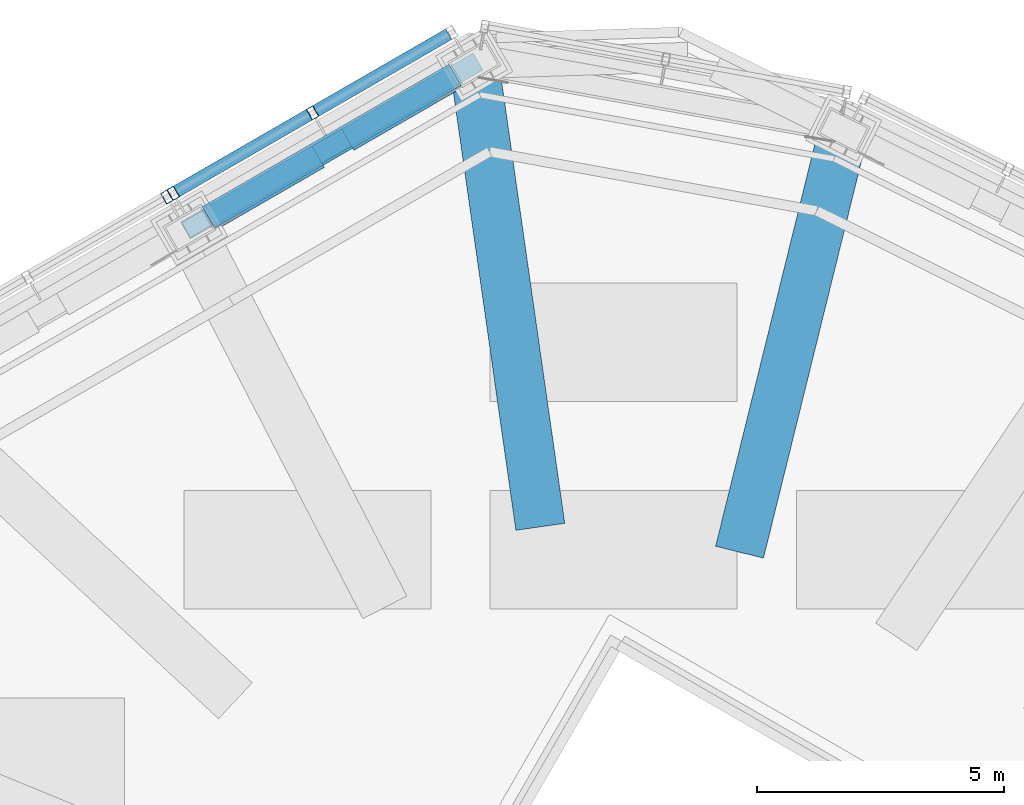
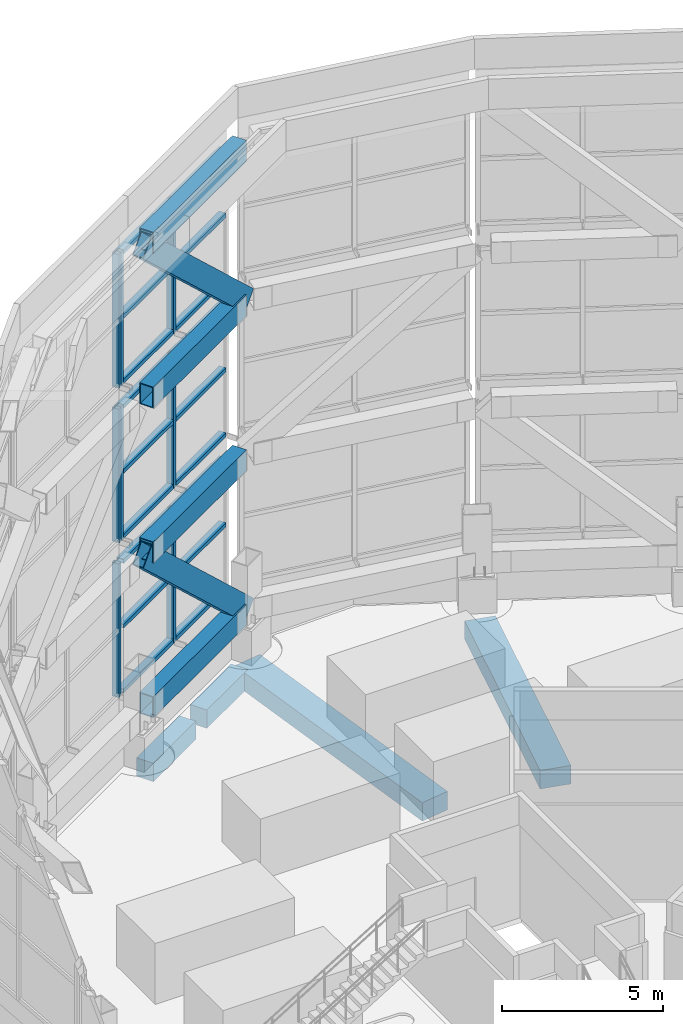
# One storey, part 13 of 46: 32 members, 4 beams, 6 elements without a shape of their own.
"""IFC4 building model written with IfcOpenShell, lengths in metres."""

from ifc_helpers import new_model, si_unit, direction, frame, origin, origin_2d, place, context, subcontext, project, spatial, rectangle, hollow_rectangle, extrude, material, material_profile, profile_set, type_object, element, aggregate, save


model = new_model("IFC4")

# Units and contexts
model_context = context("Model", 3, precision=1e-05, world=origin(), true_north=direction((0.0, 1.0)))
body_context = subcontext(model_context, "Body", "Model", "MODEL_VIEW")
ifc_project = project(units=[si_unit("LENGTHUNIT", "METRE"), si_unit("AREAUNIT", "SQUARE_METRE"), si_unit("VOLUMEUNIT", "CUBIC_METRE"), si_unit("PLANEANGLEUNIT", "RADIAN"), si_unit("MASSUNIT", "GRAM", prefix="KILO")], contexts=[model_context])

# Site, building, storey
site_placement = place(None, origin())
site = spatial("IfcSite", under=ifc_project, at=site_placement, CompositionType="ELEMENT")
building_placement = place(site_placement, origin())
building = spatial("IfcBuilding", under=site, at=building_placement, Name="Vanh Sen Convention Tower", CompositionType="ELEMENT")
storey_placement = place(building_placement, frame((0.0, 0.0, 305.0)))
storey = spatial("IfcBuildingStorey", under=building, at=storey_placement, Name="Roof level", CompositionType="ELEMENT", Elevation=305.0)

# Members
ifc_material_1 = material(Name="Steel S460", Category="steel")
ifc_material_profile_1 = material_profile(ifc_material_1, hollow_rectangle(XDim=0.39990234375, YDim=0.800048828125, WallThickness=0.02490234375, at=origin_2d()), Name="BOX 800X400X25")
ifc_profile_set_1 = profile_set([ifc_material_profile_1], Name="Steel S460")
member_type_1 = type_object("IfcMemberType", Name="Crown brace BOX 800X400X25", PredefinedType="BRACE", material=ifc_profile_set_1)
member_1_placement = place(storey_placement, frame((-3.020751953125, 19.96435546875, 1.7451171875), z_axis=(-0.633801071244, -0.365934709307, 0.681460190044), x_axis=(0.500009725469, -0.866019788709, 0.0)))
element("IfcMember", 1, at=member_1_placement, inside=storey, type_object=member_type_1, Name="CROWN FRAME brace tier 1 span 07", PredefinedType="BRACE", context=body_context, shape_type="SweptSolid", body=[
    extrude(hollow_rectangle(XDim=0.39990234375, YDim=0.800048828125, WallThickness=0.02490234375, at=origin_2d()), origin(), (0.0, 0.0, 1.0), 8.611083984375),
])
member_2_placement = place(storey_placement, frame((-3.020751953125, 19.96435546875, 13.481689453125), z_axis=(-0.633788825979, -0.365927639316, 0.681475375086), x_axis=(0.500009725469, -0.866019788709, 0.0)))
element("IfcMember", 2, at=member_2_placement, inside=storey, type_object=member_type_1, Name="CROWN FRAME brace tier 3 span 07", PredefinedType="BRACE", context=body_context, shape_type="SweptSolid", body=[
    extrude(hollow_rectangle(XDim=0.39990234375, YDim=0.800048828125, WallThickness=0.02490234375, at=origin_2d()), origin(), (0.0, 0.0, 1.0), 8.611328125),
])
ifc_material_profile_2 = material_profile(ifc_material_1, hollow_rectangle(XDim=0.5, YDim=0.800048828125, WallThickness=0.030029296875, at=origin_2d()), Name="BOX 800X500X30")
ifc_profile_set_2 = profile_set([ifc_material_profile_2], Name="Steel S460")
member_type_2 = type_object("IfcMemberType", Name="Crown ring beam BOX 800X500X30", PredefinedType="CHORD", material=ifc_profile_set_2)
for number, where, z_axis, x_axis, name in (
    (3, (-3.249755859375, 19.832275390625, 1.7451171875), (-0.866017276446, -0.500014076698, 0.0), (0.500014076698, -0.866017276446, 0.0), "CROWN FRAME ring beam 1 span 07"),
    (4, (-3.249755859375, 19.832275390625, 7.61328125), (-0.866017276446, -0.500014076698, 0.0), (0.500014076698, -0.866017276446, 0.0), "CROWN FRAME ring beam 2 span 07"),
    (5, (-3.249755859375, 19.832275390625, 13.481689453125), (-0.866017276446, -0.500014076698, 0.0), (0.500014076698, -0.866017276446, 0.0), "CROWN FRAME ring beam 3 span 07"),
    (6, (-3.249755859375, 19.832275390625, 19.35009765625), (-0.866017276446, -0.500014076698, 0.0), (0.500014076698, -0.866017276446, 0.0), "CROWN FRAME ring beam 4 span 07"),
):
    element("IfcMember", number, at=place(storey_placement, frame(where, z_axis=z_axis, x_axis=x_axis)), inside=storey, type_object=member_type_2, Name=name, PredefinedType="CHORD", context=body_context, shape_type="SweptSolid", body=[
        extrude(hollow_rectangle(XDim=0.5, YDim=0.800048828125, WallThickness=0.030029296875, at=origin_2d()), origin(), (0.0, 0.0, 1.0), 5.773193359375),
    ])

# Curtain wall, member
ifc_material_2 = material(Name="Concrete C60/75", Category="concrete")
curtain_wall_type = type_object("IfcCurtainWallType", Name="Crown screen", PredefinedType="NOTDEFINED", material=ifc_material_2)
curtain_wall_1_placement = place(storey_placement, origin())
curtain_wall_1 = element("IfcCurtainWall", 7, at=curtain_wall_1_placement, inside=storey, type_object=curtain_wall_type, Name="CROWN SCREEN 07 tier 1", PredefinedType="NOTDEFINED")
ifc_material_3 = material(Name="Steel S355", Category="steel")
ifc_material_profile_3 = material_profile(ifc_material_3, hollow_rectangle(XDim=0.25, YDim=0.14990234375, WallThickness=0.008056640625, at=origin_2d()), Name="RHS 250X150X8")
ifc_profile_set_3 = profile_set([ifc_material_profile_3], Name="Steel S355")
member_type_3 = type_object("IfcMemberType", Name="Crown screen mullion RHS 250X150X8", PredefinedType="MULLION", material=ifc_profile_set_3)
member_3_placement = place(storey_placement, frame((-6.13720703125, 19.06005859375, 2.14501953125), z_axis=(0.0, 0.0, 1.0), x_axis=(0.500004787758, -0.866022639554, 0.0)))
member_3 = element("IfcMember", 8, at=member_3_placement, type_object=member_type_3, Name="CROWN SCREEN6 mullion 2", PredefinedType="MULLION", context=body_context, shape_type="SweptSolid", body=[
    extrude(hollow_rectangle(XDim=0.25, YDim=0.14990234375, WallThickness=0.008056640625, at=origin_2d()), origin(), (0.0, 0.0, 1.0), 5.068359375),
])

# Curtain wall, members
curtain_wall_2_placement = place(storey_placement, origin())
curtain_wall_2 = element("IfcCurtainWall", 9, at=curtain_wall_2_placement, inside=storey, type_object=curtain_wall_type, Name="CROWN SCREEN 07 tier 2", PredefinedType="NOTDEFINED")
member_4_placement = place(storey_placement, frame((-6.13720703125, 19.06005859375, 8.01318359375), z_axis=(0.0, 0.0, 1.0), x_axis=(0.500004787758, -0.866022639554, 0.0)))
member_4 = element("IfcMember", 10, at=member_4_placement, type_object=member_type_3, Name="CROWN SCREEN6 mullion 2", PredefinedType="MULLION", context=body_context, shape_type="SweptSolid", body=[
    extrude(hollow_rectangle(XDim=0.25, YDim=0.14990234375, WallThickness=0.008056640625, at=origin_2d()), origin(), (0.0, 0.0, 1.0), 5.068603515625),
])
member_5_placement = place(storey_placement, frame((-8.95751953125, 17.431640625, 8.01318359375), z_axis=(0.0, 0.0, 1.0), x_axis=(0.500004787758, -0.866022639554, 0.0)))
member_5 = element("IfcMember", 11, at=member_5_placement, type_object=member_type_3, Name="CROWN SCREEN6 mullion 3", PredefinedType="MULLION", context=body_context, shape_type="SweptSolid", body=[
    extrude(hollow_rectangle(XDim=0.25, YDim=0.14990234375, WallThickness=0.008056640625, at=origin_2d()), origin(), (0.0, 0.0, 1.0), 5.068603515625),
])

curtain_wall_3_placement = place(storey_placement, origin())
curtain_wall_3 = element("IfcCurtainWall", 12, at=curtain_wall_3_placement, inside=storey, type_object=curtain_wall_type, Name="CROWN SCREEN 07 tier 3", PredefinedType="NOTDEFINED")
member_6_placement = place(storey_placement, frame((-6.13720703125, 19.06005859375, 13.881591796875), z_axis=(0.0, 0.0, 1.0), x_axis=(0.500004787758, -0.866022639554, 0.0)))
member_6 = element("IfcMember", 13, at=member_6_placement, type_object=member_type_3, Name="CROWN SCREEN6 mullion 2", PredefinedType="MULLION", context=body_context, shape_type="SweptSolid", body=[
    extrude(hollow_rectangle(XDim=0.25, YDim=0.14990234375, WallThickness=0.008056640625, at=origin_2d()), origin(), (0.0, 0.0, 1.0), 5.068359375),
])
member_7_placement = place(storey_placement, frame((-8.95751953125, 17.431640625, 13.881591796875), z_axis=(0.0, 0.0, 1.0), x_axis=(0.500004787758, -0.866022639554, 0.0)))
member_7 = element("IfcMember", 14, at=member_7_placement, type_object=member_type_3, Name="CROWN SCREEN6 mullion 3", PredefinedType="MULLION", context=body_context, shape_type="SweptSolid", body=[
    extrude(hollow_rectangle(XDim=0.25, YDim=0.14990234375, WallThickness=0.008056640625, at=origin_2d()), origin(), (0.0, 0.0, 1.0), 5.068359375),
])

# Curtain wall, member
curtain_wall_4_placement = place(storey_placement, origin())
curtain_wall_4 = element("IfcCurtainWall", 15, at=curtain_wall_4_placement, inside=storey, type_object=curtain_wall_type, Name="CROWN SCREEN 08 tier 1", PredefinedType="NOTDEFINED")
member_8_placement = place(storey_placement, frame((-9.08740234375, 17.356689453125, 2.14501953125), z_axis=(0.0, 0.0, 1.0), x_axis=(0.500004787758, -0.866022639554, 0.0)))
member_8 = element("IfcMember", 16, at=member_8_placement, type_object=member_type_3, Name="CROWN SCREEN6 mullion 1", PredefinedType="MULLION", context=body_context, shape_type="SweptSolid", body=[
    extrude(hollow_rectangle(XDim=0.25, YDim=0.14990234375, WallThickness=0.008056640625, at=origin_2d()), origin(), (0.0, 0.0, 1.0), 5.068359375),
])
aggregate(curtain_wall_4, [member_8])

curtain_wall_5_placement = place(storey_placement, origin())
curtain_wall_5 = element("IfcCurtainWall", 17, at=curtain_wall_5_placement, inside=storey, type_object=curtain_wall_type, Name="CROWN SCREEN 08 tier 2", PredefinedType="NOTDEFINED")
member_9_placement = place(storey_placement, frame((-9.08740234375, 17.356689453125, 8.01318359375), z_axis=(0.0, 0.0, 1.0), x_axis=(0.500004787758, -0.866022639554, 0.0)))
member_9 = element("IfcMember", 18, at=member_9_placement, type_object=member_type_3, Name="CROWN SCREEN6 mullion 1", PredefinedType="MULLION", context=body_context, shape_type="SweptSolid", body=[
    extrude(hollow_rectangle(XDim=0.25, YDim=0.14990234375, WallThickness=0.008056640625, at=origin_2d()), origin(), (0.0, 0.0, 1.0), 5.068603515625),
])
aggregate(curtain_wall_5, [member_9])

curtain_wall_6_placement = place(storey_placement, origin())
curtain_wall_6 = element("IfcCurtainWall", 19, at=curtain_wall_6_placement, inside=storey, type_object=curtain_wall_type, Name="CROWN SCREEN 08 tier 3", PredefinedType="NOTDEFINED")
member_10_placement = place(storey_placement, frame((-9.08740234375, 17.356689453125, 13.881591796875), z_axis=(0.0, 0.0, 1.0), x_axis=(0.500004787758, -0.866022639554, 0.0)))
member_10 = element("IfcMember", 20, at=member_10_placement, type_object=member_type_3, Name="CROWN SCREEN6 mullion 1", PredefinedType="MULLION", context=body_context, shape_type="SweptSolid", body=[
    extrude(hollow_rectangle(XDim=0.25, YDim=0.14990234375, WallThickness=0.008056640625, at=origin_2d()), origin(), (0.0, 0.0, 1.0), 5.068359375),
])
aggregate(curtain_wall_6, [member_10])

# Member
ifc_material_profile_4 = material_profile(ifc_material_3, hollow_rectangle(XDim=0.25, YDim=0.14990234375, WallThickness=0.008056640625, at=origin_2d()), Name="RHS 250X150X8")
ifc_profile_set_4 = profile_set([ifc_material_profile_4], Name="Steel S355")
member_type_4 = type_object("IfcMemberType", Name="Crown screen transom RHS 250X150X8", PredefinedType="USERDEFINED", material=ifc_profile_set_4)
member_11_placement = place(storey_placement, frame((-3.381591796875, 20.65087890625, 2.219970703125), z_axis=(-0.866058657277, -0.499942398838, 0.0), x_axis=(0.499942398838, -0.866058657277, 0.0)))
member_11 = element("IfcMember", 21, at=member_11_placement, type_object=member_type_4, Name="CROWN SCREEN6 transom 1.1", ObjectType="TRANSOM", PredefinedType="USERDEFINED", context=body_context, shape_type="SweptSolid", body=[
    extrude(hollow_rectangle(XDim=0.25, YDim=0.14990234375, WallThickness=0.008056640625, at=origin_2d()), origin(), (0.0, 0.0, 1.0), 3.106689453125),
])

member_12_placement = place(storey_placement, frame((-3.381591796875, 20.65087890625, 4.67919921875), z_axis=(-0.866058657277, -0.499942398838, 0.0), x_axis=(0.499942398838, -0.866058657277, 0.0)))
member_12 = element("IfcMember", 22, at=member_12_placement, type_object=member_type_4, Name="CROWN SCREEN6 transom 1.2", ObjectType="TRANSOM", PredefinedType="USERDEFINED", context=body_context, shape_type="SweptSolid", body=[
    extrude(hollow_rectangle(XDim=0.25, YDim=0.14990234375, WallThickness=0.008056640625, at=origin_2d()), origin(), (0.0, 0.0, 1.0), 3.106689453125),
])

member_13_placement = place(storey_placement, frame((-3.381591796875, 20.65087890625, 7.13818359375), z_axis=(-0.866058657277, -0.499942398838, 0.0), x_axis=(0.499942398838, -0.866058657277, 0.0)))
member_13 = element("IfcMember", 23, at=member_13_placement, type_object=member_type_4, Name="CROWN SCREEN6 transom 1.3", ObjectType="TRANSOM", PredefinedType="USERDEFINED", context=body_context, shape_type="SweptSolid", body=[
    extrude(hollow_rectangle(XDim=0.25, YDim=0.14990234375, WallThickness=0.008056640625, at=origin_2d()), origin(), (0.0, 0.0, 1.0), 3.106689453125),
])

member_14_placement = place(storey_placement, frame((-6.2021484375, 19.0224609375, 2.219970703125), z_axis=(-0.866039014152, -0.499976425411, 0.0), x_axis=(0.499976425411, -0.866039014152, 0.0)))
member_14 = element("IfcMember", 24, at=member_14_placement, type_object=member_type_4, Name="CROWN SCREEN6 transom 2.1", ObjectType="TRANSOM", PredefinedType="USERDEFINED", context=body_context, shape_type="SweptSolid", body=[
    extrude(hollow_rectangle(XDim=0.25, YDim=0.14990234375, WallThickness=0.008056640625, at=origin_2d()), origin(), (0.0, 0.0, 1.0), 3.106689453125),
])

member_15_placement = place(storey_placement, frame((-6.2021484375, 19.0224609375, 4.67919921875), z_axis=(-0.866039014152, -0.499976425411, 0.0), x_axis=(0.499976425411, -0.866039014152, 0.0)))
member_15 = element("IfcMember", 25, at=member_15_placement, type_object=member_type_4, Name="CROWN SCREEN6 transom 2.2", ObjectType="TRANSOM", PredefinedType="USERDEFINED", context=body_context, shape_type="SweptSolid", body=[
    extrude(hollow_rectangle(XDim=0.25, YDim=0.14990234375, WallThickness=0.008056640625, at=origin_2d()), origin(), (0.0, 0.0, 1.0), 3.106689453125),
])

member_16_placement = place(storey_placement, frame((-6.2021484375, 19.0224609375, 7.13818359375), z_axis=(-0.866039014152, -0.499976425411, 0.0), x_axis=(0.499976425411, -0.866039014152, 0.0)))
member_16 = element("IfcMember", 26, at=member_16_placement, type_object=member_type_4, Name="CROWN SCREEN6 transom 2.3", ObjectType="TRANSOM", PredefinedType="USERDEFINED", context=body_context, shape_type="SweptSolid", body=[
    extrude(hollow_rectangle(XDim=0.25, YDim=0.14990234375, WallThickness=0.008056640625, at=origin_2d()), origin(), (0.0, 0.0, 1.0), 3.106689453125),
])

aggregate(curtain_wall_1, [member_3, member_11, member_12, member_13, member_14, member_15, member_16])

member_17_placement = place(storey_placement, frame((-3.381591796875, 20.65087890625, 8.08837890625), z_axis=(-0.866058657277, -0.499942398838, 0.0), x_axis=(0.499942398838, -0.866058657277, 0.0)))
member_17 = element("IfcMember", 27, at=member_17_placement, type_object=member_type_4, Name="CROWN SCREEN6 transom 1.1", ObjectType="TRANSOM", PredefinedType="USERDEFINED", context=body_context, shape_type="SweptSolid", body=[
    extrude(hollow_rectangle(XDim=0.25, YDim=0.14990234375, WallThickness=0.008056640625, at=origin_2d()), origin(), (0.0, 0.0, 1.0), 3.106689453125),
])

member_18_placement = place(storey_placement, frame((-3.381591796875, 20.65087890625, 10.547607421875), z_axis=(-0.866058657277, -0.499942398838, 0.0), x_axis=(0.499942398838, -0.866058657277, 0.0)))
member_18 = element("IfcMember", 28, at=member_18_placement, type_object=member_type_4, Name="CROWN SCREEN6 transom 1.2", ObjectType="TRANSOM", PredefinedType="USERDEFINED", context=body_context, shape_type="SweptSolid", body=[
    extrude(hollow_rectangle(XDim=0.25, YDim=0.14990234375, WallThickness=0.008056640625, at=origin_2d()), origin(), (0.0, 0.0, 1.0), 3.106689453125),
])

member_19_placement = place(storey_placement, frame((-3.381591796875, 20.65087890625, 13.006591796875), z_axis=(-0.866058657277, -0.499942398838, 0.0), x_axis=(0.499942398838, -0.866058657277, 0.0)))
member_19 = element("IfcMember", 29, at=member_19_placement, type_object=member_type_4, Name="CROWN SCREEN6 transom 1.3", ObjectType="TRANSOM", PredefinedType="USERDEFINED", context=body_context, shape_type="SweptSolid", body=[
    extrude(hollow_rectangle(XDim=0.25, YDim=0.14990234375, WallThickness=0.008056640625, at=origin_2d()), origin(), (0.0, 0.0, 1.0), 3.106689453125),
])

member_20_placement = place(storey_placement, frame((-6.2021484375, 19.0224609375, 8.08837890625), z_axis=(-0.866039014152, -0.499976425411, 0.0), x_axis=(0.499976425411, -0.866039014152, 0.0)))
member_20 = element("IfcMember", 30, at=member_20_placement, type_object=member_type_4, Name="CROWN SCREEN6 transom 2.1", ObjectType="TRANSOM", PredefinedType="USERDEFINED", context=body_context, shape_type="SweptSolid", body=[
    extrude(hollow_rectangle(XDim=0.25, YDim=0.14990234375, WallThickness=0.008056640625, at=origin_2d()), origin(), (0.0, 0.0, 1.0), 3.106689453125),
])

member_21_placement = place(storey_placement, frame((-6.2021484375, 19.0224609375, 10.547607421875), z_axis=(-0.866039014152, -0.499976425411, 0.0), x_axis=(0.499976425411, -0.866039014152, 0.0)))
member_21 = element("IfcMember", 31, at=member_21_placement, type_object=member_type_4, Name="CROWN SCREEN6 transom 2.2", ObjectType="TRANSOM", PredefinedType="USERDEFINED", context=body_context, shape_type="SweptSolid", body=[
    extrude(hollow_rectangle(XDim=0.25, YDim=0.14990234375, WallThickness=0.008056640625, at=origin_2d()), origin(), (0.0, 0.0, 1.0), 3.106689453125),
])

member_22_placement = place(storey_placement, frame((-6.2021484375, 19.0224609375, 13.006591796875), z_axis=(-0.866039014152, -0.499976425411, 0.0), x_axis=(0.499976425411, -0.866039014152, 0.0)))
member_22 = element("IfcMember", 32, at=member_22_placement, type_object=member_type_4, Name="CROWN SCREEN6 transom 2.3", ObjectType="TRANSOM", PredefinedType="USERDEFINED", context=body_context, shape_type="SweptSolid", body=[
    extrude(hollow_rectangle(XDim=0.25, YDim=0.14990234375, WallThickness=0.008056640625, at=origin_2d()), origin(), (0.0, 0.0, 1.0), 3.106689453125),
])

aggregate(curtain_wall_2, [member_4, member_5, member_17, member_18, member_19, member_20, member_21, member_22])

member_23_placement = place(storey_placement, frame((-3.381591796875, 20.65087890625, 13.956787109375), z_axis=(-0.866058657277, -0.499942398838, 0.0), x_axis=(0.499942398838, -0.866058657277, 0.0)))
member_23 = element("IfcMember", 33, at=member_23_placement, type_object=member_type_4, Name="CROWN SCREEN6 transom 1.1", ObjectType="TRANSOM", PredefinedType="USERDEFINED", context=body_context, shape_type="SweptSolid", body=[
    extrude(hollow_rectangle(XDim=0.25, YDim=0.14990234375, WallThickness=0.008056640625, at=origin_2d()), origin(), (0.0, 0.0, 1.0), 3.106689453125),
])

member_24_placement = place(storey_placement, frame((-3.381591796875, 20.65087890625, 16.415771484375), z_axis=(-0.866058657277, -0.499942398838, 0.0), x_axis=(0.499942398838, -0.866058657277, 0.0)))
member_24 = element("IfcMember", 34, at=member_24_placement, type_object=member_type_4, Name="CROWN SCREEN6 transom 1.2", ObjectType="TRANSOM", PredefinedType="USERDEFINED", context=body_context, shape_type="SweptSolid", body=[
    extrude(hollow_rectangle(XDim=0.25, YDim=0.14990234375, WallThickness=0.008056640625, at=origin_2d()), origin(), (0.0, 0.0, 1.0), 3.106689453125),
])

member_25_placement = place(storey_placement, frame((-3.381591796875, 20.65087890625, 18.875), z_axis=(-0.866058657277, -0.499942398838, 0.0), x_axis=(0.499942398838, -0.866058657277, 0.0)))
member_25 = element("IfcMember", 35, at=member_25_placement, type_object=member_type_4, Name="CROWN SCREEN6 transom 1.3", ObjectType="TRANSOM", PredefinedType="USERDEFINED", context=body_context, shape_type="SweptSolid", body=[
    extrude(hollow_rectangle(XDim=0.25, YDim=0.14990234375, WallThickness=0.008056640625, at=origin_2d()), origin(), (0.0, 0.0, 1.0), 3.106689453125),
])

member_26_placement = place(storey_placement, frame((-6.2021484375, 19.0224609375, 13.956787109375), z_axis=(-0.866039014152, -0.499976425411, 0.0), x_axis=(0.499976425411, -0.866039014152, 0.0)))
member_26 = element("IfcMember", 36, at=member_26_placement, type_object=member_type_4, Name="CROWN SCREEN6 transom 2.1", ObjectType="TRANSOM", PredefinedType="USERDEFINED", context=body_context, shape_type="SweptSolid", body=[
    extrude(hollow_rectangle(XDim=0.25, YDim=0.14990234375, WallThickness=0.008056640625, at=origin_2d()), origin(), (0.0, 0.0, 1.0), 3.106689453125),
])

member_27_placement = place(storey_placement, frame((-6.2021484375, 19.0224609375, 16.415771484375), z_axis=(-0.866039014152, -0.499976425411, 0.0), x_axis=(0.499976425411, -0.866039014152, 0.0)))
member_27 = element("IfcMember", 37, at=member_27_placement, type_object=member_type_4, Name="CROWN SCREEN6 transom 2.2", ObjectType="TRANSOM", PredefinedType="USERDEFINED", context=body_context, shape_type="SweptSolid", body=[
    extrude(hollow_rectangle(XDim=0.25, YDim=0.14990234375, WallThickness=0.008056640625, at=origin_2d()), origin(), (0.0, 0.0, 1.0), 3.106689453125),
])

member_28_placement = place(storey_placement, frame((-6.2021484375, 19.0224609375, 18.875), z_axis=(-0.866039014152, -0.499976425411, 0.0), x_axis=(0.499976425411, -0.866039014152, 0.0)))
member_28 = element("IfcMember", 38, at=member_28_placement, type_object=member_type_4, Name="CROWN SCREEN6 transom 2.3", ObjectType="TRANSOM", PredefinedType="USERDEFINED", context=body_context, shape_type="SweptSolid", body=[
    extrude(hollow_rectangle(XDim=0.25, YDim=0.14990234375, WallThickness=0.008056640625, at=origin_2d()), origin(), (0.0, 0.0, 1.0), 3.106689453125),
])

aggregate(curtain_wall_3, [member_6, member_7, member_23, member_24, member_25, member_26, member_27, member_28])

# Beams
ifc_material_4 = material(Name="Concrete C50/60", Category="concrete")
ifc_material_profile_5 = material_profile(ifc_material_4, rectangle(XDim=1.0, YDim=0.699951171875, at=origin_2d()), Name="RC 1000X700")
ifc_profile_set_5 = profile_set([ifc_material_profile_5], Name="Concrete C50/60")
beam_type_1 = type_object("IfcBeamType", Name="Radial floor beam 1000 x 700", PredefinedType="BEAM", material=ifc_profile_set_5)
beam_1_placement = place(storey_placement, frame((4.531494140625, 18.362060546875, -0.64990234375), z_axis=(-0.239595668833, -0.970872759674, 0.0), x_axis=(0.970872759674, -0.239595668833, 0.0)))
element("IfcBeam", 39, at=beam_1_placement, inside=storey, type_object=beam_type_1, Name="Radial beam 06 Roof level", PredefinedType="BEAM", context=body_context, shape_type="SweptSolid", body=[
    extrude(rectangle(XDim=1.0, YDim=0.699951171875, at=origin_2d()), origin(), (0.0, 0.0, 1.0), 8.444091796875),
])
beam_2_placement = place(storey_placement, frame((-2.859619140625, 20.0224609375, -0.64990234375), z_axis=(0.141385149958, -0.989954665311, 0.0), x_axis=(0.989954665311, 0.141385149958, 0.0)))
element("IfcBeam", 40, at=beam_2_placement, inside=storey, type_object=beam_type_1, Name="Radial beam 07 Roof level", PredefinedType="BEAM", context=body_context, shape_type="SweptSolid", body=[
    extrude(rectangle(XDim=1.0, YDim=0.699951171875, at=origin_2d()), origin(), (0.0, 0.0, 1.0), 9.440185546875),
])
ifc_material_profile_6 = material_profile(ifc_material_4, rectangle(XDim=0.60009765625, YDim=0.699951171875, at=origin_2d()), Name="RC 600X700")
ifc_profile_set_6 = profile_set([ifc_material_profile_6], Name="Concrete C50/60")
beam_type_2 = type_object("IfcBeamType", Name="Spandrel beam 600 x 700", PredefinedType="SPANDREL", material=ifc_profile_set_6)
beam_3_placement = place(storey_placement, frame((-3.249755859375, 19.832275390625, -0.64990234375), z_axis=(-0.86597601289, -0.500085537782, 0.0), x_axis=(0.500085537782, -0.86597601289, 0.0)))
element("IfcBeam", 41, at=beam_3_placement, inside=storey, type_object=beam_type_2, Name="Spandrel beam 13 Roof level", PredefinedType="SPANDREL", context=body_context, shape_type="SweptSolid", body=[
    extrude(rectangle(XDim=0.60009765625, YDim=0.699951171875, at=origin_2d()), origin(), (0.0, 0.0, 1.0), 2.54150390625),
])
beam_4_placement = place(storey_placement, frame((-6.04833984375, 18.21630859375, -0.64990234375), z_axis=(-0.86603938454, -0.49997578384, 0.0), x_axis=(0.49997578384, -0.86603938454, 0.0)))
element("IfcBeam", 42, at=beam_4_placement, inside=storey, type_object=beam_type_2, Name="Spandrel beam 14 Roof level", PredefinedType="SPANDREL", context=body_context, shape_type="SweptSolid", body=[
    extrude(rectangle(XDim=0.60009765625, YDim=0.699951171875, at=origin_2d()), origin(), (0.0, 0.0, 1.0), 2.641845703125),
])

save(model, "model.ifc")
